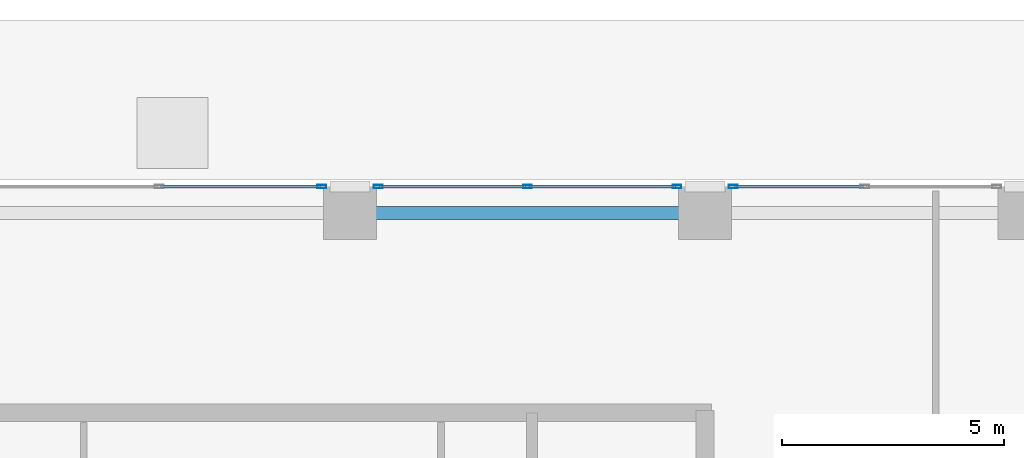
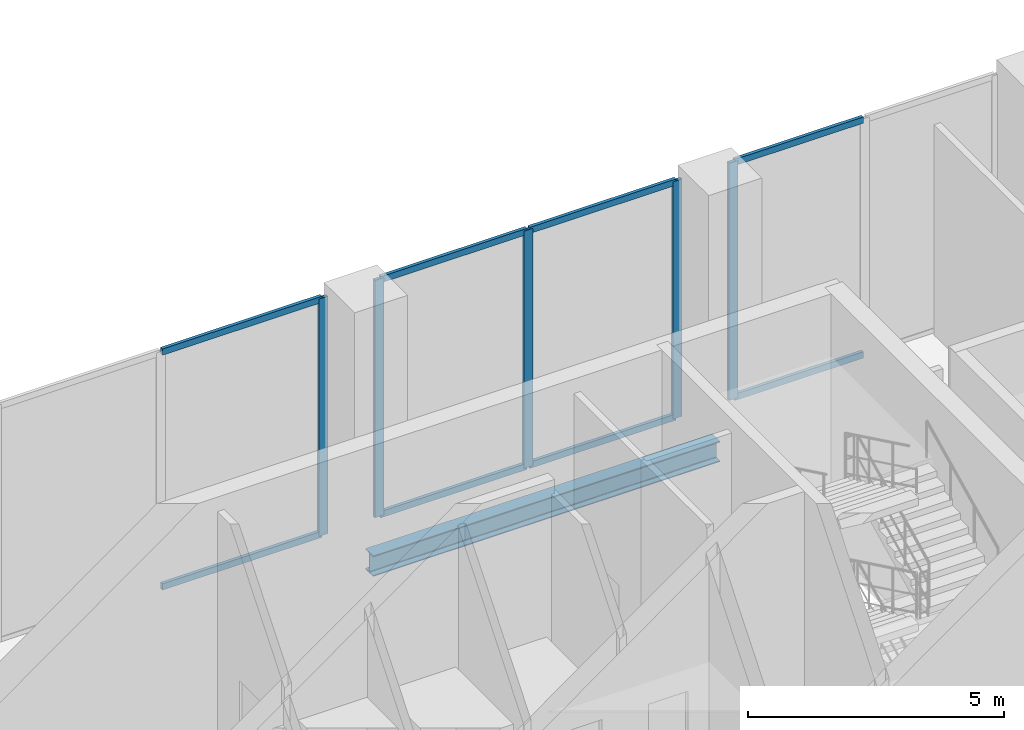
# One storey, part 13 of 26: 13 members, 1 beam, 3 elements without a shape of their own.
"""IFC4 building model written with IfcOpenShell, lengths in metres."""

import ifcopenshell
import ifcopenshell.guid

model = None  # the IFC model being written
_history = None  # IfcOwnerHistory: only IFC2X3 demands one
_inside = {}  # id of a spatial element -> (the spatial element, [elements in it])
_under = {}  # id of a project, library or spatial element -> (it, [spatial elements below it])
_declared = {}  # id of a project -> (the project, [libraries it declares])
_typed = {}  # id of a type object -> (the type object, [elements of that type])
_made_of = {}  # id of a material, layer set ... -> (it, [elements and type objects made of it])


def new_model(schema):
    """Start an empty IFC model of exactly this schema.

    Asked for "IFC4X3", IfcOpenShell would pick the latest addendum, in which some entities
    have other attributes; the version numbers below select the first issue.
    IFC2X3 requires an IfcOwnerHistory on every rooted entity: one is made here for all.
    """
    global model, _history
    if schema == "IFC4X3":
        model = ifcopenshell.file(schema_version=(4, 3, 0, 0))
    else:
        model = ifcopenshell.file(schema=schema)
    _inside.clear()
    _under.clear()
    _declared.clear()
    _typed.clear()
    _made_of.clear()
    _history = None
    if model.schema == "IFC2X3":
        org = make("IfcOrganization", Name="unknown")
        user = make(
            "IfcPersonAndOrganization",
            ThePerson=make("IfcPerson", FamilyName="unknown"),
            TheOrganization=org,
        )
        app = make(
            "IfcApplication",
            ApplicationDeveloper=org,
            Version="unknown",
            ApplicationFullName="unknown",
            ApplicationIdentifier="unknown",
        )
        _history = make(
            "IfcOwnerHistory",
            OwningUser=user,
            OwningApplication=app,
            ChangeAction="ADDED",
            CreationDate=0,
        )
    return model


def make(cls, **values):
    """One entity of the class cls with the attributes given. An attribute that is None is left unset."""
    return model.create_entity(
        cls, **{name: value for name, value in values.items() if value is not None}
    )


def rooted(cls, **values):
    """An entity with a GlobalId (a new one), such as an element, a storey or a relation."""
    return make(cls, GlobalId=ifcopenshell.guid.new(), OwnerHistory=_history, **values)


def si_unit(unit_type, name, prefix=None):
    """IfcSIUnit, for example si_unit("LENGTHUNIT", "METRE", prefix="MILLI")."""
    return make("IfcSIUnit", UnitType=unit_type, Prefix=prefix, Name=name)


def assignment(units):
    """IfcUnitAssignment: the units of a project."""
    return None if units is None else make("IfcUnitAssignment", Units=units)


def point(xyz):
    """IfcCartesianPoint."""
    return None if xyz is None else make("IfcCartesianPoint", Coordinates=xyz)


def direction(xyz):
    """IfcDirection."""
    return None if xyz is None else make("IfcDirection", DirectionRatios=xyz)


def frame(location, z_axis=None, x_axis=None):
    """IfcAxis2Placement3D, a coordinate frame: its origin and axes. An axis left out is left unset."""
    return make(
        "IfcAxis2Placement3D",
        Location=point(location),
        Axis=direction(z_axis),
        RefDirection=direction(x_axis),
    )


def frame_2d(location, x_axis=None):
    """IfcAxis2Placement2D, a coordinate frame in the plane: its origin and x axis."""
    return make(
        "IfcAxis2Placement2D", Location=point(location), RefDirection=direction(x_axis)
    )


def origin():
    """The frame at (0, 0, 0) with its axes left unset."""
    return frame((0.0, 0.0, 0.0))


def origin_2d():
    """The frame at (0, 0) in the plane with its x axis left unset."""
    return frame_2d((0.0, 0.0))


def place(relative_to, where):
    """IfcLocalPlacement: puts the frame where relative to a parent placement (None: the world)."""
    return make(
        "IfcLocalPlacement", PlacementRelTo=relative_to, RelativePlacement=where
    )


def context(
    kind, dimensions, precision=None, world=None, true_north=None, identifier=None
):
    """IfcGeometricRepresentationContext, for example the 3D "Model" context."""
    return make(
        "IfcGeometricRepresentationContext",
        ContextIdentifier=identifier,
        ContextType=kind,
        CoordinateSpaceDimension=dimensions,
        Precision=precision,
        WorldCoordinateSystem=world,
        TrueNorth=true_north,
    )


def subcontext(parent, identifier, kind, view, scale=None):
    """IfcGeometricRepresentationSubContext, for example "Body" below "Model"."""
    return make(
        "IfcGeometricRepresentationSubContext",
        ContextIdentifier=identifier,
        ContextType=kind,
        ParentContext=parent,
        TargetScale=scale,
        TargetView=view,
    )


def project(units=None, contexts=None):
    """IfcProject with its units and contexts."""
    return rooted(
        "IfcProject",
        Name="project",
        RepresentationContexts=contexts,
        UnitsInContext=assignment(units),
    )


def spatial(cls, under=None, at=None, **own):
    """A site, building, storey or space (cls), placed at a placement, below another one or the project."""
    s = rooted(cls, ObjectPlacement=at, **own)
    if under is not None:
        _under.setdefault(under.id(), (under, []))[1].append(s)
    return s


def profile(cls, at=None, kind="AREA", **sizes):
    """A parametric profile (cls). Its sizes go by their IFC names, for example OverallWidth=200.0."""
    return make(cls, ProfileType=kind, Position=at, **sizes)


def hollow_rectangle(**sizes):
    """IfcRectangleHollowProfileDef."""
    return profile("IfcRectangleHollowProfileDef", **sizes)


def i_section(**sizes):
    """IfcIShapeProfileDef."""
    return profile("IfcIShapeProfileDef", **sizes)


def extrude(swept, where, along, depth):
    """IfcExtrudedAreaSolid: the profile swept, set in the frame where, extruded along a direction by depth."""
    return make(
        "IfcExtrudedAreaSolid",
        SweptArea=swept,
        Position=where,
        ExtrudedDirection=direction(along),
        Depth=depth,
    )


def shape(context_of_items, identifier, shape_type, items):
    """IfcShapeRepresentation: the items that make up one representation, for example the "Body"."""
    return make(
        "IfcShapeRepresentation",
        ContextOfItems=context_of_items,
        RepresentationIdentifier=identifier,
        RepresentationType=shape_type,
        Items=items,
    )


def material(Name=None, Category=None):
    """IfcMaterial."""
    return make("IfcMaterial", Name=Name, Category=Category)


def layer(
    of_material, thickness, ventilated=None, Name=None, Category=None, Priority=None
):
    """IfcMaterialLayer: one layer of a wall or slab, of a material (None: an air gap)."""
    return make(
        "IfcMaterialLayer",
        Material=of_material,
        LayerThickness=thickness,
        IsVentilated=ventilated,
        Name=Name,
        Category=Category,
        Priority=Priority,
    )


def layer_set(layers, Name=None):
    """IfcMaterialLayerSet."""
    return make("IfcMaterialLayerSet", MaterialLayers=layers, LayerSetName=Name)


def material_profile(
    of_material, cross_section, Name=None, Category=None, Priority=None
):
    """IfcMaterialProfile: a cross section and its material."""
    return make(
        "IfcMaterialProfile",
        Name=Name,
        Material=of_material,
        Profile=cross_section,
        Priority=Priority,
        Category=Category,
    )


def profile_set(profiles, Name=None, composite=None):
    """IfcMaterialProfileSet."""
    return make(
        "IfcMaterialProfileSet",
        Name=Name,
        MaterialProfiles=profiles,
        CompositeProfile=composite,
    )


def made_of(thing, what):
    """Note that an element or type object is made of a material, layer set ...; save() writes the relation."""
    if what is not None:
        _made_of.setdefault(what.id(), (what, []))[1].append(thing)
    return thing


def type_object(cls, material=None, **own):
    """A type object (cls), such as IfcWallType, which elements share."""
    return made_of(rooted(cls, **own), material)


def element(
    cls,
    number,
    at=None,
    inside=None,
    cuts=None,
    type_object=None,
    material=None,
    context=None,
    identifier="Body",
    shape_type=None,
    held_by="IfcProductDefinitionShape",
    body=None,
    shapes=None,
    **own,
):
    """One element of the class cls, such as IfcWall. Its Tag is "e" and its number.

    at: its placement. inside: the storey or other place that contains it. cuts: it is an
    opening in that element (IfcRelVoidsElement). A single representation is given by context,
    identifier, shape_type and body (its items); several are given by shapes. held_by: the class
    of the entity that holds the representations. save() writes the other relations.
    """
    e = rooted(cls, Tag="e%d" % number, ObjectPlacement=at, **own)
    if body is not None:
        shapes = [shape(context, identifier, shape_type, body)]
    if shapes is not None:
        e.Representation = make(held_by, Representations=shapes)
    if inside is not None:
        _inside.setdefault(inside.id(), (inside, []))[1].append(e)
    if cuts is not None:
        rooted(
            "IfcRelVoidsElement", RelatingBuildingElement=cuts, RelatedOpeningElement=e
        )
    if type_object is not None:
        _typed.setdefault(type_object.id(), (type_object, []))[1].append(e)
    return made_of(e, material)


def aggregate(whole, parts):
    """IfcRelAggregates: a whole, such as a stair, and the parts it consists of."""
    return rooted("IfcRelAggregates", RelatingObject=whole, RelatedObjects=parts)


def save(model, path):
    """Write the relations noted so far, then the file.

    IfcRelAggregates (storeys below a building ...), IfcRelContainedInSpatialStructure (elements
    in a storey), IfcRelDefinesByType, IfcRelAssociatesMaterial and IfcRelDeclares: one each for
    every whole, place, type object, material and project.
    """
    for whole, parts in _under.values():
        aggregate(whole, parts)
    for where, things in _inside.values():
        rooted(
            "IfcRelContainedInSpatialStructure",
            RelatedElements=things,
            RelatingStructure=where,
        )
    for kind, things in _typed.values():
        rooted("IfcRelDefinesByType", RelatedObjects=things, RelatingType=kind)
    for what, things in _made_of.values():
        rooted("IfcRelAssociatesMaterial", RelatedObjects=things, RelatingMaterial=what)
    for by, libraries in _declared.values():
        rooted("IfcRelDeclares", RelatingContext=by, RelatedDefinitions=libraries)
    model.write(path)


model = new_model("IFC4")

# Units and contexts
model_context = context("Model", 3, precision=1e-05, world=origin(), true_north=direction((0.0, 1.0)))
body_context = subcontext(model_context, "Body", "Model", "MODEL_VIEW")
ifc_project = project(units=[si_unit("LENGTHUNIT", "METRE"), si_unit("AREAUNIT", "SQUARE_METRE"), si_unit("VOLUMEUNIT", "CUBIC_METRE"), si_unit("PLANEANGLEUNIT", "RADIAN"), si_unit("MASSUNIT", "GRAM", prefix="KILO")], contexts=[model_context])

# Site, building, storey
site_placement = place(None, origin())
site = spatial("IfcSite", under=ifc_project, at=site_placement, CompositionType="ELEMENT")
building_placement = place(site_placement, origin())
building = spatial("IfcBuilding", under=site, at=building_placement, Name="Catumbela Crestline Tower", CompositionType="ELEMENT")
storey_placement = place(building_placement, origin())
storey = spatial("IfcBuildingStorey", under=building, at=storey_placement, Name="L00", CompositionType="ELEMENT", Elevation=0.0)

# Curtain wall, member
ifc_material_1 = material(Name="Aluminium alloy AW-6060-T66", Category="aluminium")
ifc_layer = layer(ifc_material_1, 0.18, Name="Aluminium alloy AW-6060-T66")
ifc_layer_set = layer_set([ifc_layer], Name="Aluminium alloy AW-6060-T66")
curtain_wall_type = type_object("IfcCurtainWallType", Name="CWS-POD", PredefinedType="USERDEFINED", material=ifc_layer_set)
curtain_wall_1_placement = place(storey_placement, origin())
curtain_wall_1 = element("IfcCurtainWall", 1, at=curtain_wall_1_placement, inside=storey, type_object=curtain_wall_type, Name="L00 Stick Curtain Wall CW-L00-E7S2", ObjectType="STICK", PredefinedType="USERDEFINED")
ifc_material_profile_1 = material_profile(ifc_material_1, hollow_rectangle(XDim=0.075, YDim=0.2, WallThickness=0.005, at=origin_2d()), Name="ALU 200x75x5")
ifc_profile_set_1 = profile_set([ifc_material_profile_1], Name="Aluminium alloy AW-6060-T66")
member_type_1 = type_object("IfcMemberType", Name="MUL-200X75", PredefinedType="MULLION", material=ifc_profile_set_1)
member_1_placement = place(storey_placement, frame((40.6325, 48.0, 0.0), z_axis=(0.0, 0.0, 1.0), x_axis=(0.0, -1.0, 0.0)))
member_1 = element("IfcMember", 2, at=member_1_placement, type_object=member_type_1, Name="CWS-POD mullion 3", PredefinedType="MULLION", context=body_context, shape_type="SweptSolid", body=[
    extrude(hollow_rectangle(XDim=0.075, YDim=0.2, WallThickness=0.005, at=origin_2d()), origin(), (0.0, 0.0, 1.0), 5.67),
])

# Curtain wall, members
curtain_wall_2_placement = place(storey_placement, origin())
curtain_wall_2 = element("IfcCurtainWall", 3, at=curtain_wall_2_placement, inside=storey, type_object=curtain_wall_type, Name="L00 Stick Curtain Wall CW-L00-E7S3", ObjectType="STICK", PredefinedType="USERDEFINED")
member_2_placement = place(storey_placement, frame((39.3675, 48.0, 0.0), z_axis=(0.0, 0.0, 1.0), x_axis=(0.0, -1.0, 0.0)))
member_2 = element("IfcMember", 4, at=member_2_placement, type_object=member_type_1, Name="CWS-POD mullion 1", PredefinedType="MULLION", context=body_context, shape_type="SweptSolid", body=[
    extrude(hollow_rectangle(XDim=0.075, YDim=0.2, WallThickness=0.005, at=origin_2d()), origin(), (0.0, 0.0, 1.0), 5.67),
])
member_3_placement = place(storey_placement, frame((36.0, 48.0, 0.0), z_axis=(0.0, 0.0, 1.0), x_axis=(0.0, -1.0, 0.0)))
member_3 = element("IfcMember", 5, at=member_3_placement, type_object=member_type_1, Name="CWS-POD mullion 2", PredefinedType="MULLION", context=body_context, shape_type="SweptSolid", body=[
    extrude(hollow_rectangle(XDim=0.075, YDim=0.2, WallThickness=0.005, at=origin_2d()), origin(), (0.0, 0.0, 1.0), 5.67),
])
member_4_placement = place(storey_placement, frame((32.6325, 48.0, 0.0), z_axis=(0.0, 0.0, 1.0), x_axis=(0.0, -1.0, 0.0)))
member_4 = element("IfcMember", 6, at=member_4_placement, type_object=member_type_1, Name="CWS-POD mullion 3", PredefinedType="MULLION", context=body_context, shape_type="SweptSolid", body=[
    extrude(hollow_rectangle(XDim=0.075, YDim=0.2, WallThickness=0.005, at=origin_2d()), origin(), (0.0, 0.0, 1.0), 5.67),
])

# Curtain wall, member
curtain_wall_3_placement = place(storey_placement, origin())
curtain_wall_3 = element("IfcCurtainWall", 7, at=curtain_wall_3_placement, inside=storey, type_object=curtain_wall_type, Name="L00 Stick Curtain Wall CW-L00-E7S4", ObjectType="STICK", PredefinedType="USERDEFINED")
member_5_placement = place(storey_placement, frame((31.3675, 48.0, 0.0), z_axis=(0.0, 0.0, 1.0), x_axis=(0.0, -1.0, 0.0)))
member_5 = element("IfcMember", 8, at=member_5_placement, type_object=member_type_1, Name="CWS-POD mullion 1", PredefinedType="MULLION", context=body_context, shape_type="SweptSolid", body=[
    extrude(hollow_rectangle(XDim=0.075, YDim=0.2, WallThickness=0.005, at=origin_2d()), origin(), (0.0, 0.0, 1.0), 5.67),
])

# Beam
ifc_material_2 = material(Name="Structural steel S355J2", Category="steel")
ifc_material_profile_2 = material_profile(ifc_material_2, i_section(OverallWidth=0.3, OverallDepth=0.49, WebThickness=0.012, FlangeThickness=0.023, FilletRadius=0.027, at=origin_2d()), Name="HEA 500")
ifc_profile_set_2 = profile_set([ifc_material_profile_2], Name="Structural steel S355J2")
beam_type = type_object("IfcBeamType", Name="BS-HEA500", PredefinedType="SPANDREL", material=ifc_profile_set_2)
beam_placement = place(storey_placement, frame((32.08, 47.4, -0.565), z_axis=(1.0, 0.0, 0.0), x_axis=(0.0, 1.0, 0.0)))
element("IfcBeam", 9, at=beam_placement, inside=storey, type_object=beam_type, Name="L00 Spandrel SP-L00-NF20", PredefinedType="SPANDREL", context=body_context, shape_type="SweptSolid", body=[
    extrude(i_section(OverallWidth=0.3, OverallDepth=0.49, WebThickness=0.012, FlangeThickness=0.023, FilletRadius=0.027, at=origin_2d()), origin(), (0.0, 0.0, 1.0), 7.84),
])

# Member
ifc_material_profile_3 = material_profile(ifc_material_1, hollow_rectangle(XDim=0.075, YDim=0.15, WallThickness=0.0045, at=origin_2d()), Name="ALU 150x75x4.5")
ifc_profile_set_3 = profile_set([ifc_material_profile_3], Name="Aluminium alloy AW-6060-T66")
member_type_2 = type_object("IfcMemberType", Name="TRN-150X75", PredefinedType="USERDEFINED", material=ifc_profile_set_3)
member_6_placement = place(storey_placement, frame((43.5675, 48.0, 0.03), z_axis=(-1.0, 0.0, 0.0), x_axis=(0.0, -1.0, 0.0)))
member_6 = element("IfcMember", 10, at=member_6_placement, type_object=member_type_2, Name="CWS-POD transom 2.1", ObjectType="TRANSOM", PredefinedType="USERDEFINED", context=body_context, shape_type="SweptSolid", body=[
    extrude(hollow_rectangle(XDim=0.075, YDim=0.15, WallThickness=0.0045, at=origin_2d()), origin(), (0.0, 0.0, 1.0), 2.9025),
])

member_7_placement = place(storey_placement, frame((43.5675, 48.0, 5.64), z_axis=(-1.0, 0.0, 0.0), x_axis=(0.0, -1.0, 0.0)))
member_7 = element("IfcMember", 11, at=member_7_placement, type_object=member_type_2, Name="CWS-POD transom 2.2", ObjectType="TRANSOM", PredefinedType="USERDEFINED", context=body_context, shape_type="SweptSolid", body=[
    extrude(hollow_rectangle(XDim=0.075, YDim=0.15, WallThickness=0.0045, at=origin_2d()), origin(), (0.0, 0.0, 1.0), 2.9025),
])

aggregate(curtain_wall_1, [member_1, member_6, member_7])

member_8_placement = place(storey_placement, frame((39.335, 48.0, 0.03), z_axis=(-1.0, 0.0, 0.0), x_axis=(0.0, -1.0, 0.0)))
member_8 = element("IfcMember", 12, at=member_8_placement, type_object=member_type_2, Name="CWS-POD transom 1.1", ObjectType="TRANSOM", PredefinedType="USERDEFINED", context=body_context, shape_type="SweptSolid", body=[
    extrude(hollow_rectangle(XDim=0.075, YDim=0.15, WallThickness=0.0045, at=origin_2d()), origin(), (0.0, 0.0, 1.0), 3.3025),
])

member_9_placement = place(storey_placement, frame((39.335, 48.0, 5.64), z_axis=(-1.0, 0.0, 0.0), x_axis=(0.0, -1.0, 0.0)))
member_9 = element("IfcMember", 13, at=member_9_placement, type_object=member_type_2, Name="CWS-POD transom 1.2", ObjectType="TRANSOM", PredefinedType="USERDEFINED", context=body_context, shape_type="SweptSolid", body=[
    extrude(hollow_rectangle(XDim=0.075, YDim=0.15, WallThickness=0.0045, at=origin_2d()), origin(), (0.0, 0.0, 1.0), 3.3025),
])

member_10_placement = place(storey_placement, frame((35.9675, 48.0, 0.03), z_axis=(-1.0, 0.0, 0.0), x_axis=(0.0, -1.0, 0.0)))
member_10 = element("IfcMember", 14, at=member_10_placement, type_object=member_type_2, Name="CWS-POD transom 2.1", ObjectType="TRANSOM", PredefinedType="USERDEFINED", context=body_context, shape_type="SweptSolid", body=[
    extrude(hollow_rectangle(XDim=0.075, YDim=0.15, WallThickness=0.0045, at=origin_2d()), origin(), (0.0, 0.0, 1.0), 3.3025),
])

member_11_placement = place(storey_placement, frame((35.9675, 48.0, 5.64), z_axis=(-1.0, 0.0, 0.0), x_axis=(0.0, -1.0, 0.0)))
member_11 = element("IfcMember", 15, at=member_11_placement, type_object=member_type_2, Name="CWS-POD transom 2.2", ObjectType="TRANSOM", PredefinedType="USERDEFINED", context=body_context, shape_type="SweptSolid", body=[
    extrude(hollow_rectangle(XDim=0.075, YDim=0.15, WallThickness=0.0045, at=origin_2d()), origin(), (0.0, 0.0, 1.0), 3.3025),
])

aggregate(curtain_wall_2, [member_2, member_3, member_4, member_8, member_9, member_10, member_11])

member_12_placement = place(storey_placement, frame((31.335, 48.0, 0.03), z_axis=(-1.0, 0.0, 0.0), x_axis=(0.0, -1.0, 0.0)))
member_12 = element("IfcMember", 16, at=member_12_placement, type_object=member_type_2, Name="CWS-POD transom 1.1", ObjectType="TRANSOM", PredefinedType="USERDEFINED", context=body_context, shape_type="SweptSolid", body=[
    extrude(hollow_rectangle(XDim=0.075, YDim=0.15, WallThickness=0.0045, at=origin_2d()), origin(), (0.0, 0.0, 1.0), 3.6025),
])

member_13_placement = place(storey_placement, frame((31.335, 48.0, 5.64), z_axis=(-1.0, 0.0, 0.0), x_axis=(0.0, -1.0, 0.0)))
member_13 = element("IfcMember", 17, at=member_13_placement, type_object=member_type_2, Name="CWS-POD transom 1.2", ObjectType="TRANSOM", PredefinedType="USERDEFINED", context=body_context, shape_type="SweptSolid", body=[
    extrude(hollow_rectangle(XDim=0.075, YDim=0.15, WallThickness=0.0045, at=origin_2d()), origin(), (0.0, 0.0, 1.0), 3.6025),
])

aggregate(curtain_wall_3, [member_5, member_12, member_13])

save(model, "model.ifc")
